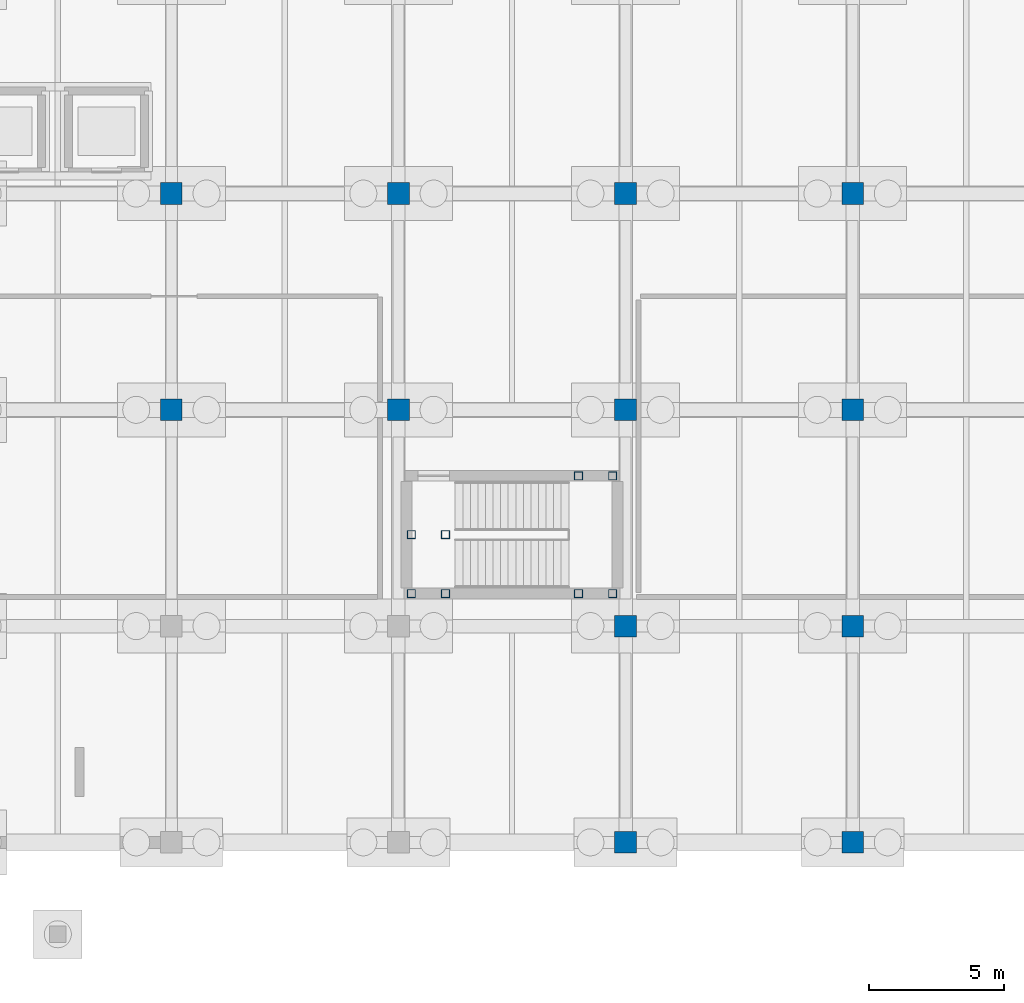
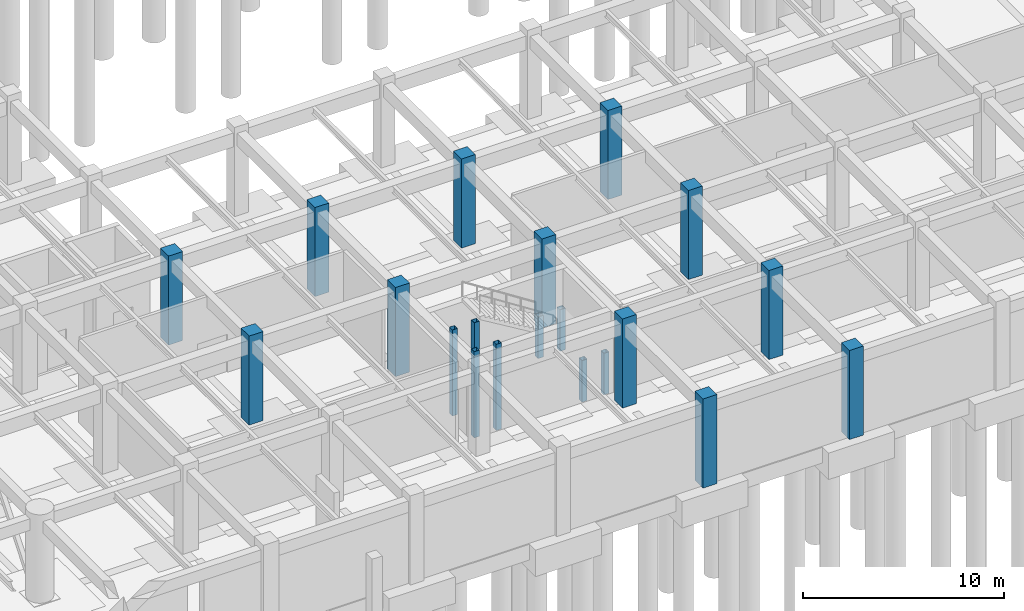
# One storey, part 15 of 56: 20 columns.
"""IFC4 building model written with IfcOpenShell, lengths in metres."""

from ifc_helpers import new_model, si_unit, direction, frame, origin, origin_2d, place, context, subcontext, project, spatial, rectangle, hollow_rectangle, extrude, material, material_profile, profile_set, type_object, element, save


model = new_model("IFC4")

# Units and contexts
model_context = context("Model", 3, precision=1e-05, world=origin(), true_north=direction((0.0, 1.0)))
body_context = subcontext(model_context, "Body", "Model", "MODEL_VIEW")
ifc_project = project(units=[si_unit("LENGTHUNIT", "METRE"), si_unit("AREAUNIT", "SQUARE_METRE"), si_unit("VOLUMEUNIT", "CUBIC_METRE"), si_unit("PLANEANGLEUNIT", "RADIAN"), si_unit("MASSUNIT", "GRAM", prefix="KILO")], contexts=[model_context])

# Site, building, storey
site_placement = place(None, origin())
site = spatial("IfcSite", under=ifc_project, at=site_placement, CompositionType="ELEMENT")
building_placement = place(site_placement, origin())
building = spatial("IfcBuilding", under=site, at=building_placement, Name="Naruveol Harbour Congress Hotel", CompositionType="ELEMENT")
storey_placement = place(building_placement, frame((0.0, 0.0, -5.39990234375)))
storey = spatial("IfcBuildingStorey", under=building, at=storey_placement, Name="B01", CompositionType="ELEMENT", Elevation=-5.39990234375)

# Columns
ifc_material_1 = material(Name="Concrete C50/60", Category="concrete")
ifc_material_profile_1 = material_profile(ifc_material_1, rectangle(XDim=0.800048828125, YDim=0.800048828125, at=origin_2d()), Name="RC-800x800")
ifc_profile_set_1 = profile_set([ifc_material_profile_1], Name="Concrete C50/60")
column_type_1 = type_object("IfcColumnType", Name="RC PODIUM COLUMN 800X800", PredefinedType="COLUMN", material=ifc_profile_set_1)
for number, where, z_axis, x_axis, name in (
    (1, (67.199951171875, 16.0, 0.0), (0.0, 0.0, 1.0), (1.0, 0.0, 0.0), "Column C-800 B01 (67.2,16.0)"),
    (2, (67.199951171875, 24.0, 0.0), (0.0, 0.0, 1.0), (1.0, 0.0, 0.0), "Column C-800 B01 (67.2,24.0)"),
    (3, (75.60009765625, 16.0, 0.0), (0.0, 0.0, 1.0), (1.0, 0.0, 0.0), "Column C-800 B01 (75.6,16.0)"),
    (4, (75.60009765625, 24.0, 0.0), (0.0, 0.0, 1.0), (1.0, 0.0, 0.0), "Column C-800 B01 (75.6,24.0)"),
    (5, (84.0, 0.0, 0.0), (0.0, 0.0, 1.0), (1.0, 0.0, 0.0), "Column C-800 B01 (84.0,0.0)"),
    (6, (84.0, 8.0, 0.0), (0.0, 0.0, 1.0), (1.0, 0.0, 0.0), "Column C-800 B01 (84.0,8.0)"),
    (7, (84.0, 16.0, 0.0), (0.0, 0.0, 1.0), (1.0, 0.0, 0.0), "Column C-800 B01 (84.0,16.0)"),
    (8, (84.0, 24.0, 0.0), (0.0, 0.0, 1.0), (1.0, 0.0, 0.0), "Column C-800 B01 (84.0,24.0)"),
    (9, (92.39990234375, 0.0, 0.0), (0.0, 0.0, 1.0), (1.0, 0.0, 0.0), "Column C-800 B01 (92.4,0.0)"),
    (10, (92.39990234375, 8.0, 0.0), (0.0, 0.0, 1.0), (1.0, 0.0, 0.0), "Column C-800 B01 (92.4,8.0)"),
    (11, (92.39990234375, 16.0, 0.0), (0.0, 0.0, 1.0), (1.0, 0.0, 0.0), "Column C-800 B01 (92.4,16.0)"),
    (12, (92.39990234375, 24.0, 0.0), (0.0, 0.0, 1.0), (1.0, 0.0, 0.0), "Column C-800 B01 (92.4,24.0)"),
):
    element("IfcColumn", number, at=place(storey_placement, frame(where, z_axis=z_axis, x_axis=x_axis)), inside=storey, type_object=column_type_1, Name=name, PredefinedType="COLUMN", context=body_context, shape_type="SweptSolid", body=[
        extrude(rectangle(XDim=0.800048828125, YDim=0.800048828125, at=origin_2d()), origin(), (0.0, 0.0, 1.0), 5.39990234375),
    ])
ifc_material_2 = material(Name="Steel SN490", Category="steel")
ifc_material_profile_2 = material_profile(ifc_material_2, hollow_rectangle(XDim=0.300048828125, YDim=0.300048828125, WallThickness=0.011962890625, at=origin_2d()), Name="SHS-300x300x12")
ifc_profile_set_2 = profile_set([ifc_material_profile_2], Name="Steel SN490")
column_type_2 = type_object("IfcColumnType", Name="STEEL COLONNADE POST SHS300", PredefinedType="COLUMN", material=ifc_profile_set_2)
for number, where, z_axis, x_axis, name in (
    (13, (76.080078125, 9.199951171875, 0.0), (0.0, 0.0, 1.0), (1.0, 0.0, 0.0), "Stair landing support post ST10W #457"),
    (14, (76.080078125, 11.3798828125, 0.0), (0.0, 0.0, 1.0), (1.0, 0.0, 0.0), "Stair landing support post ST10W #461"),
    (15, (77.340087890625, 9.199951171875, 0.0), (0.0, 0.0, 1.0), (1.0, 0.0, 0.0), "Stair landing support post ST10W #465"),
    (16, (77.340087890625, 11.3798828125, 0.0), (0.0, 0.0, 1.0), (1.0, 0.0, 0.0), "Stair landing support post ST10W #469"),
):
    element("IfcColumn", number, at=place(storey_placement, frame(where, z_axis=z_axis, x_axis=x_axis)), inside=storey, type_object=column_type_2, Name=name, PredefinedType="COLUMN", context=body_context, shape_type="SweptSolid", body=[
        extrude(hollow_rectangle(XDim=0.300048828125, YDim=0.300048828125, WallThickness=0.011962890625, at=origin_2d()), origin(), (0.0, 0.0, 1.0), 5.219970703125),
    ])
for number, where, z_axis, x_axis, name in (
    (17, (82.260009765625, 9.199951171875, 0.0), (0.0, 0.0, 1.0), (1.0, 0.0, 0.0), "Stair landing support post ST10E #473"),
    (18, (82.260009765625, 13.56005859375, 0.0), (0.0, 0.0, 1.0), (1.0, 0.0, 0.0), "Stair landing support post ST10E #477"),
    (19, (83.52001953125, 9.199951171875, 0.0), (0.0, 0.0, 1.0), (1.0, 0.0, 0.0), "Stair landing support post ST10E #481"),
    (20, (83.52001953125, 13.56005859375, 0.0), (0.0, 0.0, 1.0), (1.0, 0.0, 0.0), "Stair landing support post ST10E #485"),
):
    element("IfcColumn", number, at=place(storey_placement, frame(where, z_axis=z_axis, x_axis=x_axis)), inside=storey, type_object=column_type_2, Name=name, PredefinedType="COLUMN", context=body_context, shape_type="SweptSolid", body=[
        extrude(hollow_rectangle(XDim=0.300048828125, YDim=0.300048828125, WallThickness=0.011962890625, at=origin_2d()), origin(), (0.0, 0.0, 1.0), 2.52001953125),
    ])

save(model, "model.ifc")
